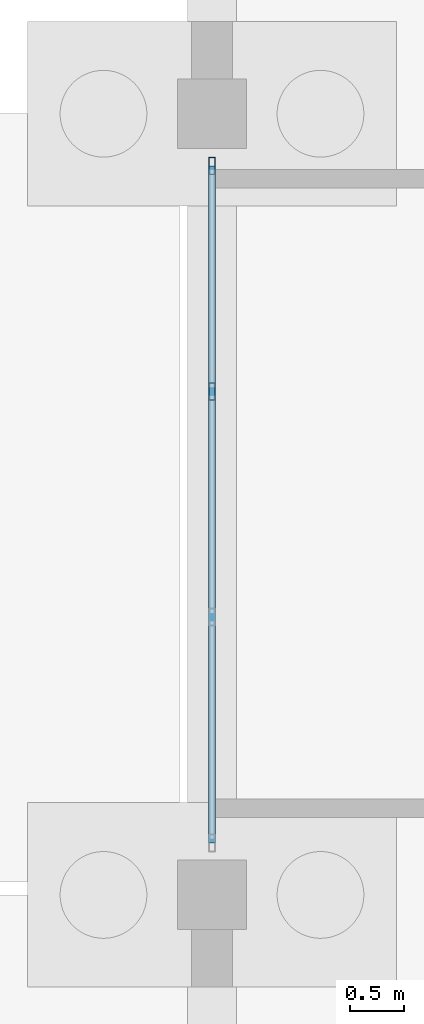
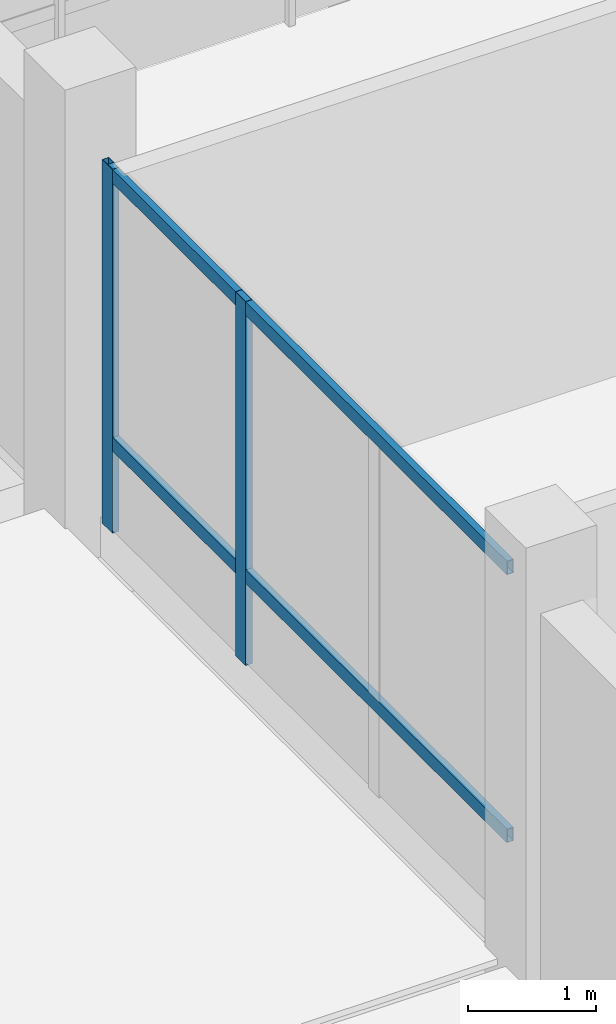
# One storey, part 59 of 98: 4 members, 1 element without a shape of its own.
"""IFC4 building model written with IfcOpenShell, lengths in metres."""

from ifc_helpers import new_model, si_unit, direction, frame, origin, origin_2d, place, context, subcontext, project, spatial, hollow_rectangle, extrude, material, material_profile, profile_set, type_object, element, aggregate, save


model = new_model("IFC4")

# Units and contexts
model_context = context("Model", 3, precision=1e-05, world=origin(), true_north=direction((0.0, 1.0)))
body_context = subcontext(model_context, "Body", "Model", "MODEL_VIEW")
ifc_project = project(units=[si_unit("LENGTHUNIT", "METRE"), si_unit("AREAUNIT", "SQUARE_METRE"), si_unit("VOLUMEUNIT", "CUBIC_METRE"), si_unit("PLANEANGLEUNIT", "RADIAN"), si_unit("MASSUNIT", "GRAM", prefix="KILO")], contexts=[model_context])

# Site, building, storey
site_placement = place(None, origin())
site = spatial("IfcSite", under=ifc_project, at=site_placement, CompositionType="ELEMENT")
building_placement = place(site_placement, origin())
building = spatial("IfcBuilding", under=site, at=building_placement, Name="Zornivar Specialist Clinic", CompositionType="ELEMENT")
storey_placement = place(building_placement, origin())
storey = spatial("IfcBuildingStorey", under=building, at=storey_placement, Name="L00", CompositionType="ELEMENT", Elevation=0.0)

# Curtain wall, members
ifc_material_1 = material(Name="Aluminium and Low-E Glass Curtain Wall", Category="aluminium")
curtain_wall_type = type_object("IfcCurtainWallType", Name="CW-LAB-NORTH", PredefinedType="NOTDEFINED", material=ifc_material_1)
curtain_wall_placement = place(storey_placement, origin())
curtain_wall = element("IfcCurtainWall", 1, at=curtain_wall_placement, inside=storey, type_object=curtain_wall_type, Name="cw:V6:L00:16", PredefinedType="NOTDEFINED")
ifc_material_2 = material(Name="Aluminium AW-6060", Category="aluminium")
ifc_material_profile_1 = material_profile(ifc_material_2, hollow_rectangle(XDim=0.06005859375, YDim=0.159912109375, WallThickness=0.00390625, at=origin_2d()), Name="ALU 60x160x4")
ifc_profile_set_1 = profile_set([ifc_material_profile_1], Name="Aluminium AW-6060")
member_type_1 = type_object("IfcMemberType", Name="CWM-MUL-160", PredefinedType="MULLION", material=ifc_profile_set_1)
member_1_placement = place(storey_placement, frame((136.800048828125, 107.52001953125, 0.0), z_axis=(0.0, 0.0, 1.0), x_axis=(1.0, 0.0, 0.0)))
member_1 = element("IfcMember", 2, at=member_1_placement, type_object=member_type_1, Name="cw:V6:L00:16:mul:0", PredefinedType="MULLION", context=body_context, shape_type="SweptSolid", body=[
    extrude(hollow_rectangle(XDim=0.06005859375, YDim=0.159912109375, WallThickness=0.00390625, at=origin_2d()), origin(), (0.0, 0.0, 1.0), 3.469970703125),
])
member_2_placement = place(storey_placement, frame((136.800048828125, 105.43994140625, 0.0), z_axis=(0.0, 0.0, 1.0), x_axis=(1.0, 0.0, 0.0)))
member_2 = element("IfcMember", 3, at=member_2_placement, type_object=member_type_1, Name="cw:V6:L00:16:mul:1", PredefinedType="MULLION", context=body_context, shape_type="SweptSolid", body=[
    extrude(hollow_rectangle(XDim=0.06005859375, YDim=0.159912109375, WallThickness=0.00390625, at=origin_2d()), origin(), (0.0, 0.0, 1.0), 3.469970703125),
])
ifc_material_3 = material(Name="Aluminium AW-6060", Category="aluminium")
ifc_material_profile_2 = material_profile(ifc_material_3, hollow_rectangle(XDim=0.06005859375, YDim=0.1298828125, WallThickness=0.00390625, at=origin_2d()), Name="ALU 60x130x4")
ifc_profile_set_2 = profile_set([ifc_material_profile_2], Name="Aluminium AW-6060")
member_type_2 = type_object("IfcMemberType", Name="CWM-TRN-130", PredefinedType="USERDEFINED", material=ifc_profile_set_2)
member_3_placement = place(storey_placement, frame((136.800048828125, 107.52001953125, 0.85009765625), z_axis=(0.0, -1.0, 0.0), x_axis=(1.0, 0.0, 0.0)))
member_3 = element("IfcMember", 4, at=member_3_placement, type_object=member_type_2, Name="cw:V6:L00:16:trn:0", ObjectType="TRANSOM", PredefinedType="USERDEFINED", context=body_context, shape_type="SweptSolid", body=[
    extrude(hollow_rectangle(XDim=0.06005859375, YDim=0.1298828125, WallThickness=0.00390625, at=origin_2d()), origin(), (0.0, 0.0, 1.0), 6.239990234375),
])
member_4_placement = place(storey_placement, frame((136.800048828125, 107.52001953125, 3.405029296875), z_axis=(0.0, -1.0, 0.0), x_axis=(1.0, 0.0, 0.0)))
member_4 = element("IfcMember", 5, at=member_4_placement, type_object=member_type_2, Name="cw:V6:L00:16:trn:1", ObjectType="TRANSOM", PredefinedType="USERDEFINED", context=body_context, shape_type="SweptSolid", body=[
    extrude(hollow_rectangle(XDim=0.06005859375, YDim=0.1298828125, WallThickness=0.00390625, at=origin_2d()), origin(), (0.0, 0.0, 1.0), 6.239990234375),
])
aggregate(curtain_wall, [member_1, member_2, member_3, member_4])

save(model, "model.ifc")
